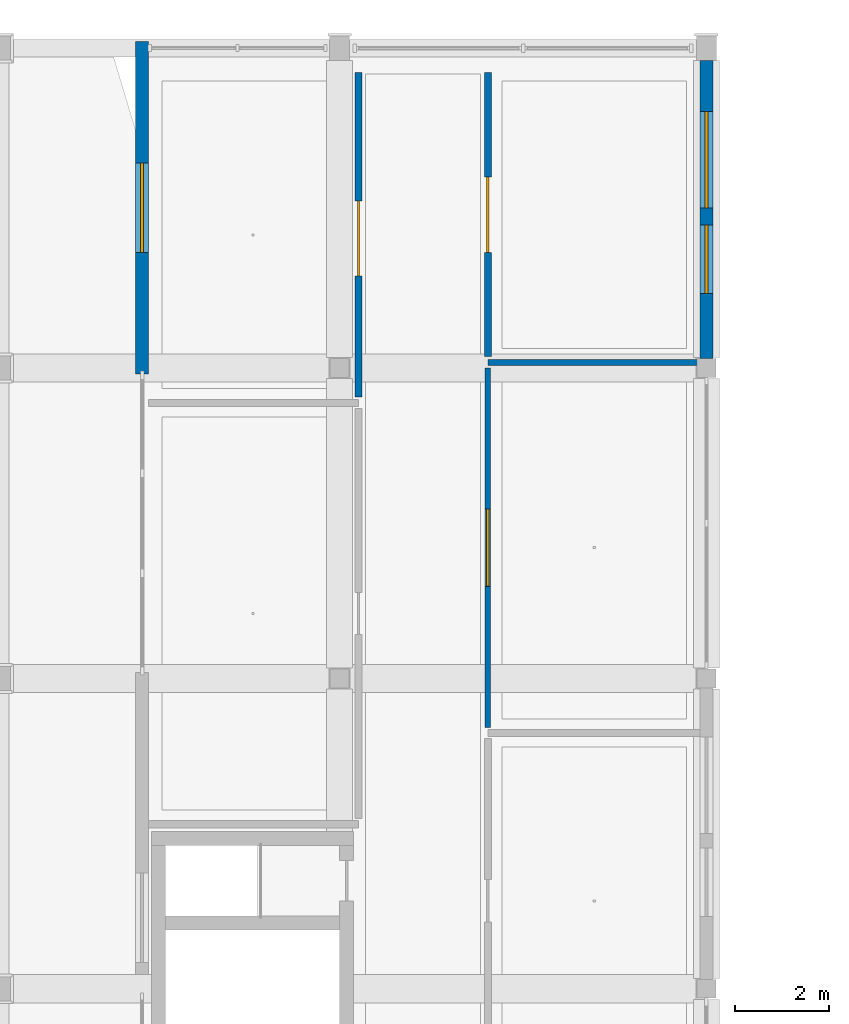
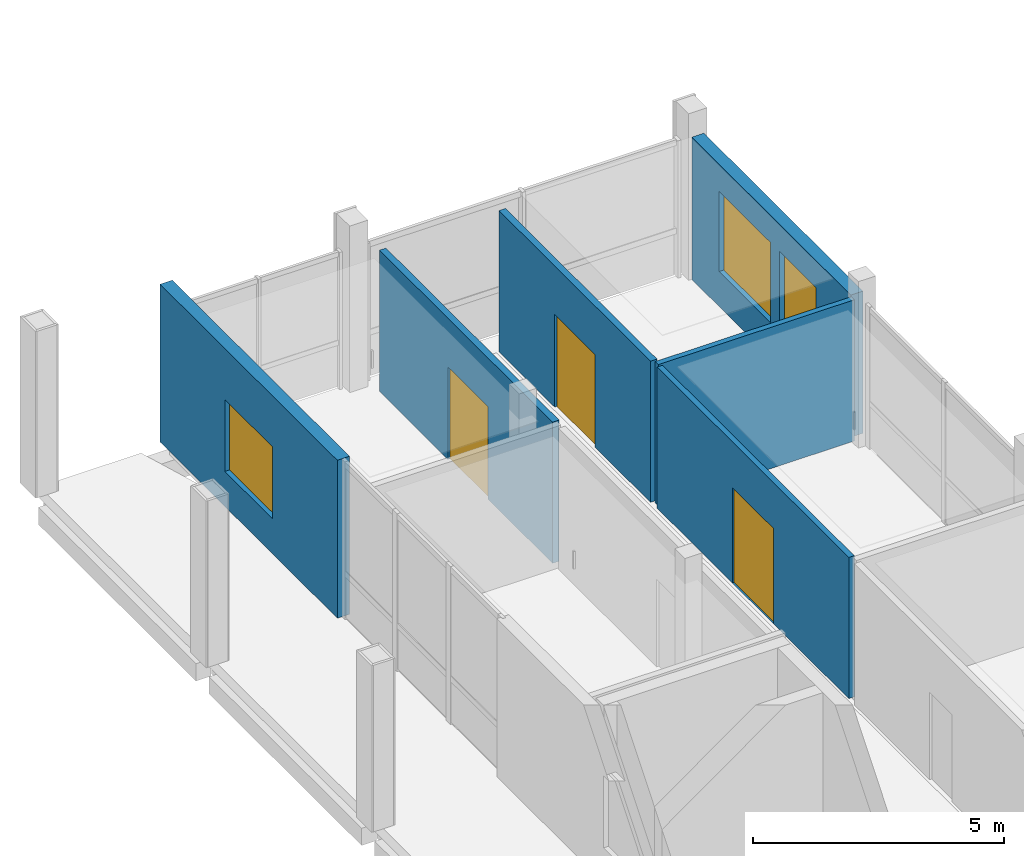
# One storey, part 14 of 24: 6 walls, 3 doors, 3 windows, 6 openings.
"""IFC4 building model written with IfcOpenShell, lengths in metres."""

from ifc_helpers import new_model, si_unit, derived_unit, direction, frame, frame_2d, origin, origin_with_axes, place, context, subcontext, project, spatial, rectangle, extrude, material, layer, layer_set, type_object, element, fill, save


model = new_model("IFC4")

# Units and contexts
model_context = context("Model", 3, precision=1e-05, world=origin(), true_north=direction((0.0, 1.0)))
body_context = subcontext(model_context, "Body", "Model", "MODEL_VIEW")
ifc_project = project(units=[si_unit("LENGTHUNIT", "METRE"), si_unit("AREAUNIT", "SQUARE_METRE"), si_unit("VOLUMEUNIT", "CUBIC_METRE"), si_unit("PLANEANGLEUNIT", "RADIAN"), si_unit("MASSUNIT", "GRAM", prefix="KILO"), derived_unit("THERMALTRANSMITTANCEUNIT", [(si_unit("POWERUNIT", "WATT"), 1), (si_unit("LENGTHUNIT", "METRE"), -2), (si_unit("THERMODYNAMICTEMPERATUREUNIT", "KELVIN"), -1)])], contexts=[model_context])

# Site, building, storey
site_placement = place(None, origin())
site = spatial("IfcSite", under=ifc_project, at=site_placement, CompositionType="ELEMENT")
building_placement = place(site_placement, origin())
building = spatial("IfcBuilding", under=site, at=building_placement, Name="Braskholm Square Health Centre", CompositionType="ELEMENT")
storey_placement = place(building_placement, frame((0.0, 0.0, 21.60009765625)))
storey = spatial("IfcBuildingStorey", under=building, at=storey_placement, Name="L06", CompositionType="ELEMENT", Elevation=21.60009765625)

# Wall, opening, door
ifc_material_1 = material(Name="Acoustic gypsum board partition")
ifc_layer_1 = layer(ifc_material_1, 0.125)
ifc_layer_set_1 = layer_set([ifc_layer_1], Name="Acoustic gypsum board partition")
wall_type_1 = type_object("IfcWallType", Name="ClinicalExamPartition125", PredefinedType="PARTITIONING", material=ifc_layer_set_1)
wall_1_placement = place(storey_placement, frame((14.550048828125, 99.360107421875, 0.0), z_axis=(0.0, 0.0, 1.0), x_axis=(0.0, 1.0, 0.0)))
wall_1 = element("IfcWall", 1, at=wall_1_placement, inside=storey, type_object=wall_type_1, Name="Interior partition PWALL-L06-0288", PredefinedType="PARTITIONING", context=body_context, shape_type="SweptSolid", body=[
    extrude(rectangle(XDim=7.639892578125, YDim=0.125, at=frame_2d((3.81982421875, 0.0))), origin(), (0.0, 0.0, 1.0), 3.434814453125),
])
opening_1_placement = place(wall_1_placement, frame((3.0, 0.0, 0.0)))
opening_1 = element("IfcOpeningElement", 2, at=opening_1_placement, cuts=wall_1, Name="Opening D-28", PredefinedType="OPENING", context=body_context, shape_type="SweptSolid", body=[
    extrude(rectangle(XDim=1.639892578125, YDim=2.320068359375, at=frame_2d((0.81982421875, 1.16015625))), frame((0.0, 0.072509765625, 0.0), z_axis=(0.0, -1.0, 0.0), x_axis=(1.0, 0.0, 0.0)), (0.0, 0.0, 1.0), 0.14501953125),
])
ifc_material_2 = material(Name="Architectural bronze anodised aluminium", Category="aluminium")
door_type_1 = type_object("IfcDoorType", Name="DoorSuiteDouble1640x2320", OperationType="DOUBLE_DOOR_SINGLE_SWING", PredefinedType="DOOR", material=ifc_material_2)
door_1_placement = place(opening_1_placement, frame((1.639892578125, 0.0, 0.0), z_axis=(0.0, 0.0, 1.0), x_axis=(-1.0, 0.0, 0.0)))
door_1 = element("IfcDoor", 3, at=door_1_placement, inside=storey, type_object=door_type_1, Name="Interior door 0133 L06", OperationType="DOUBLE_DOOR_SINGLE_SWING", OverallHeight=2.320068359375, OverallWidth=1.639892578125, PredefinedType="DOOR", context=body_context, shape_type="SweptSolid", body=[
    extrude(rectangle(XDim=1.639892578125, YDim=2.320068359375, at=frame_2d((0.81982421875, 1.16015625))), frame((0.0, 0.02490234375, 0.0), z_axis=(0.0, -1.0, 0.0), x_axis=(1.0, 0.0, 0.0)), (0.0, 0.0, 1.0), 0.050048828125),
])
fill(opening_1, door_1)

# Wall
wall_2_placement = place(storey_placement, frame((14.550048828125, 107.1201171875, 0.0), z_axis=(0.0, 0.0, 1.0), x_axis=(1.0, 0.0, 0.0)))
element("IfcWall", 4, at=wall_2_placement, inside=storey, type_object=wall_type_1, Name="Interior partition PWALL-L06-0289", PredefinedType="PARTITIONING", context=body_context, shape_type="SweptSolid", body=[
    extrude(rectangle(XDim=4.510009765625, YDim=0.125, at=frame_2d((2.2548828125, 0.0))), origin(), (0.0, 0.0, 1.0), 3.434814453125),
])

# Wall, opening, door
ifc_layer_2 = layer(ifc_material_1, 0.14990234375)
ifc_layer_set_2 = layer_set([ifc_layer_2], Name="Acoustic gypsum board partition")
wall_type_2 = type_object("IfcWallType", Name="CorridorAcousticPartition150", PredefinedType="PARTITIONING", material=ifc_layer_set_2)
wall_3_placement = place(storey_placement, frame((11.800048828125, 106.3798828125, 0.0), z_axis=(0.0, 0.0, 1.0), x_axis=(0.0, 1.0, 0.0)))
wall_3 = element("IfcWall", 5, at=wall_3_placement, inside=storey, type_object=wall_type_2, Name="Interior partition PWALL-L06-0267", PredefinedType="PARTITIONING", context=body_context, shape_type="SweptSolid", body=[
    extrude(rectangle(XDim=6.900146484375, YDim=0.14990234375, at=frame_2d((3.4501953125, 0.0))), origin(), (0.0, 0.0, 1.0), 3.434814453125),
])
opening_2_placement = place(wall_3_placement, frame((2.572998046875, 0.0, 0.0)))
opening_2 = element("IfcOpeningElement", 6, at=opening_2_placement, cuts=wall_3, Name="Opening D-11", PredefinedType="OPENING", context=body_context, shape_type="SweptSolid", body=[
    extrude(rectangle(XDim=1.60009765625, YDim=2.25, at=frame_2d((0.800048828125, 1.125))), frame((0.0, 0.0849609375, 0.0), z_axis=(0.0, -1.0, 0.0), x_axis=(1.0, 0.0, 0.0)), (0.0, 0.0, 1.0), 0.169921875),
])
door_type_2 = type_object("IfcDoorType", Name="DoorClassroomDouble1600x2250", OperationType="DOUBLE_DOOR_SINGLE_SWING", PredefinedType="DOOR", material=ifc_material_2)
door_2_placement = place(opening_2_placement, origin_with_axes())
door_2 = element("IfcDoor", 7, at=door_2_placement, inside=storey, type_object=door_type_2, Name="Interior door 0123 L06", OperationType="DOUBLE_DOOR_SINGLE_SWING", OverallHeight=2.25, OverallWidth=1.60009765625, PredefinedType="DOOR", context=body_context, shape_type="SweptSolid", body=[
    extrude(rectangle(XDim=1.60009765625, YDim=2.25, at=frame_2d((0.800048828125, 1.125))), frame((0.0, 0.02490234375, 0.0), z_axis=(0.0, -1.0, 0.0), x_axis=(1.0, 0.0, 0.0)), (0.0, 0.0, 1.0), 0.050048828125),
])
fill(opening_2, door_2)

wall_4_placement = place(storey_placement, frame((14.550048828125, 107.239990234375, 0.0), z_axis=(0.0, 0.0, 1.0), x_axis=(0.0, 1.0, 0.0)))
wall_4 = element("IfcWall", 8, at=wall_4_placement, inside=storey, type_object=wall_type_2, Name="Interior partition PWALL-L06-0290", PredefinedType="PARTITIONING", context=body_context, shape_type="SweptSolid", body=[
    extrude(rectangle(XDim=6.0400390625, YDim=0.14990234375, at=frame_2d((3.02001953125, 0.0))), origin(), (0.0, 0.0, 1.0), 3.434814453125),
])
opening_3_placement = place(wall_4_placement, frame((2.219970703125, 0.0, 0.0)))
opening_3 = element("IfcOpeningElement", 9, at=opening_3_placement, cuts=wall_4, Name="Opening D-11", PredefinedType="OPENING", context=body_context, shape_type="SweptSolid", body=[
    extrude(rectangle(XDim=1.60009765625, YDim=2.25, at=frame_2d((0.800048828125, 1.125))), frame((0.0, 0.0849609375, 0.0), z_axis=(0.0, -1.0, 0.0), x_axis=(1.0, 0.0, 0.0)), (0.0, 0.0, 1.0), 0.169921875),
])
door_3_placement = place(opening_3_placement, frame((1.60009765625, 0.0, 0.0), z_axis=(0.0, 0.0, 1.0), x_axis=(-1.0, 0.0, 0.0)))
door_3 = element("IfcDoor", 10, at=door_3_placement, inside=storey, type_object=door_type_2, Name="Interior door 0134 L06", OperationType="DOUBLE_DOOR_SINGLE_SWING", OverallHeight=2.25, OverallWidth=1.60009765625, PredefinedType="DOOR", context=body_context, shape_type="SweptSolid", body=[
    extrude(rectangle(XDim=1.60009765625, YDim=2.25, at=frame_2d((0.800048828125, 1.125))), frame((0.0, 0.02490234375, 0.0), z_axis=(0.0, -1.0, 0.0), x_axis=(1.0, 0.0, 0.0)), (0.0, 0.0, 1.0), 0.050048828125),
])
fill(opening_3, door_3)

# Wall, opening, window
ifc_material_3 = material(Name="Precast concrete C40/50 architectural white", Category="concrete")
ifc_layer_3 = layer(ifc_material_3, 0.280029296875)
ifc_layer_set_3 = layer_set([ifc_layer_3], Name="Precast concrete C40/50 architectural white")
wall_type_3 = type_object("IfcWallType", Name="ExteriorPrecastSpandrelWall280", PredefinedType="SOLIDWALL", material=ifc_layer_set_3)
wall_5_placement = place(storey_placement, frame((7.199951171875, 113.93994140625, 0.0), z_axis=(0.0, 0.0, 1.0), x_axis=(0.0, -1.0, 0.0)))
wall_5 = element("IfcWall", 11, at=wall_5_placement, inside=storey, type_object=wall_type_3, Name="Exterior wall EWALL-L06-0051", PredefinedType="SOLIDWALL", context=body_context, shape_type="SweptSolid", body=[
    extrude(rectangle(XDim=7.06396484375, YDim=0.280029296875, at=frame_2d((3.531982421875, 0.0))), origin(), (0.0, 0.0, 1.0), 3.83984375),
])
opening_4_placement = place(wall_5_placement, frame((2.58203125, 0.0, 0.85009765625)))
opening_4 = element("IfcOpeningElement", 12, at=opening_4_placement, cuts=wall_5, Name="Opening WN-23", PredefinedType="OPENING", context=body_context, shape_type="SweptSolid", body=[
    extrude(rectangle(XDim=1.89990234375, YDim=1.75, at=frame_2d((0.949951171875, 0.875))), frame((0.0, 0.14990234375, 0.0), z_axis=(0.0, -1.0, 0.0), x_axis=(1.0, 0.0, 0.0)), (0.0, 0.0, 1.0), 0.300048828125),
])
ifc_material_4 = material(Name="Low-E triple insulating glass (VLT 0.64)", Category="glass")
window_type_1 = type_object("IfcWindowType", Name="WinCrownSetback1900x1750", PartitioningType="SINGLE_PANEL", PredefinedType="WINDOW", material=ifc_material_4)
window_1_placement = place(opening_4_placement, origin_with_axes())
window_1 = element("IfcWindow", 13, at=window_1_placement, inside=storey, type_object=window_type_1, Name="Exterior window 0090 L06", OverallHeight=1.75, OverallWidth=1.89990234375, PartitioningType="SINGLE_PANEL", PredefinedType="WINDOW", context=body_context, shape_type="SweptSolid", body=[
    extrude(rectangle(XDim=1.89990234375, YDim=1.75, at=frame_2d((0.949951171875, 0.875))), frame((0.0, 0.030029296875, 0.0), z_axis=(0.0, -1.0, 0.0), x_axis=(1.0, 0.0, 0.0)), (0.0, 0.0, 1.0), 0.06005859375),
])
fill(opening_4, window_1)

# Wall, openings, windows
wall_6_placement = place(storey_placement, frame((19.199951171875, 107.201904296875, 0.0), z_axis=(0.0, 0.0, 1.0), x_axis=(0.0, 1.0, 0.0)))
wall_6 = element("IfcWall", 14, at=wall_6_placement, inside=storey, type_object=wall_type_3, Name="Exterior wall EWALL-L06-0156", PredefinedType="SOLIDWALL", context=body_context, shape_type="SweptSolid", body=[
    extrude(rectangle(XDim=6.336181640625, YDim=0.280029296875, at=frame_2d((3.16796875, 0.0))), origin(), (0.0, 0.0, 1.0), 3.4599609375),
])
opening_5_placement = place(wall_6_placement, frame((1.386962890625, 0.0, 0.85009765625)))
opening_5 = element("IfcOpeningElement", 15, at=opening_5_placement, cuts=wall_6, Name="Opening WN-24", PredefinedType="OPENING", context=body_context, shape_type="SweptSolid", body=[
    extrude(rectangle(XDim=1.449951171875, YDim=1.949951171875, at=frame_2d((0.72509765625, 0.97509765625))), frame((0.0, 0.14990234375, 0.0), z_axis=(0.0, -1.0, 0.0), x_axis=(1.0, 0.0, 0.0)), (0.0, 0.0, 1.0), 0.300048828125),
])
opening_6_placement = place(wall_6_placement, frame((3.198974609375, 0.0, 0.85009765625)))
opening_6 = element("IfcOpeningElement", 16, at=opening_6_placement, cuts=wall_6, Name="Opening WN-25", PredefinedType="OPENING", context=body_context, shape_type="SweptSolid", body=[
    extrude(rectangle(XDim=2.050048828125, YDim=1.949951171875, at=frame_2d((1.02490234375, 0.97509765625))), frame((0.0, 0.14990234375, 0.0), z_axis=(0.0, -1.0, 0.0), x_axis=(1.0, 0.0, 0.0)), (0.0, 0.0, 1.0), 0.300048828125),
])
window_type_2 = type_object("IfcWindowType", Name="WinValleyTerrace1450x1950", PartitioningType="SINGLE_PANEL", PredefinedType="WINDOW", material=ifc_material_4)
window_2_placement = place(opening_5_placement, origin_with_axes())
window_2 = element("IfcWindow", 17, at=window_2_placement, inside=storey, type_object=window_type_2, Name="Exterior window 0222 L06", OverallHeight=1.949951171875, OverallWidth=1.449951171875, PartitioningType="SINGLE_PANEL", PredefinedType="WINDOW", context=body_context, shape_type="SweptSolid", body=[
    extrude(rectangle(XDim=1.449951171875, YDim=1.949951171875, at=frame_2d((0.72509765625, 0.97509765625))), frame((0.0, 0.030029296875, 0.0), z_axis=(0.0, -1.0, 0.0), x_axis=(1.0, 0.0, 0.0)), (0.0, 0.0, 1.0), 0.06005859375),
])
fill(opening_5, window_2)
window_type_3 = type_object("IfcWindowType", Name="WinValleyTerrace2050x1950", PartitioningType="SINGLE_PANEL", PredefinedType="WINDOW", material=ifc_material_4)
window_3_placement = place(opening_6_placement, origin_with_axes())
window_3 = element("IfcWindow", 18, at=window_3_placement, inside=storey, type_object=window_type_3, Name="Exterior window 0223 L06", OverallHeight=1.949951171875, OverallWidth=2.050048828125, PartitioningType="SINGLE_PANEL", PredefinedType="WINDOW", context=body_context, shape_type="SweptSolid", body=[
    extrude(rectangle(XDim=2.050048828125, YDim=1.949951171875, at=frame_2d((1.02490234375, 0.97509765625))), frame((0.0, 0.030029296875, 0.0), z_axis=(0.0, -1.0, 0.0), x_axis=(1.0, 0.0, 0.0)), (0.0, 0.0, 1.0), 0.06005859375),
])
fill(opening_6, window_3)

save(model, "model.ifc")
